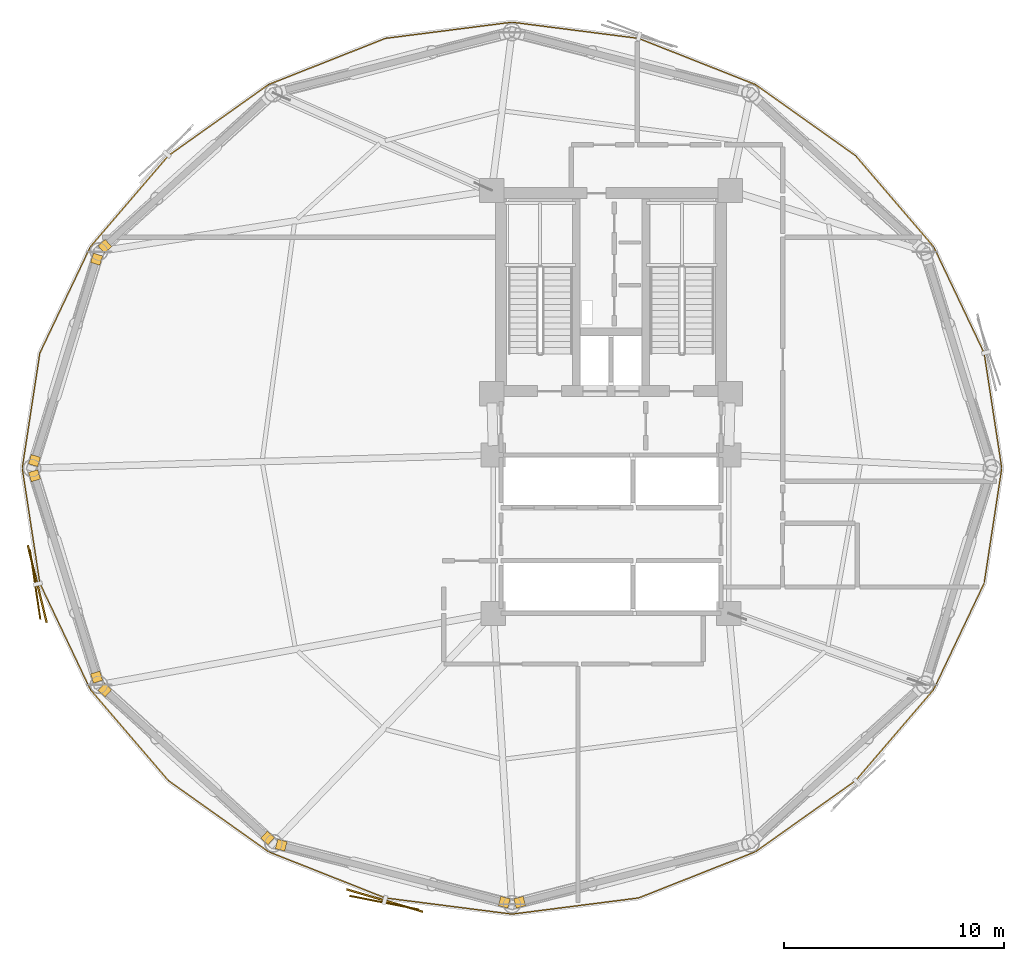
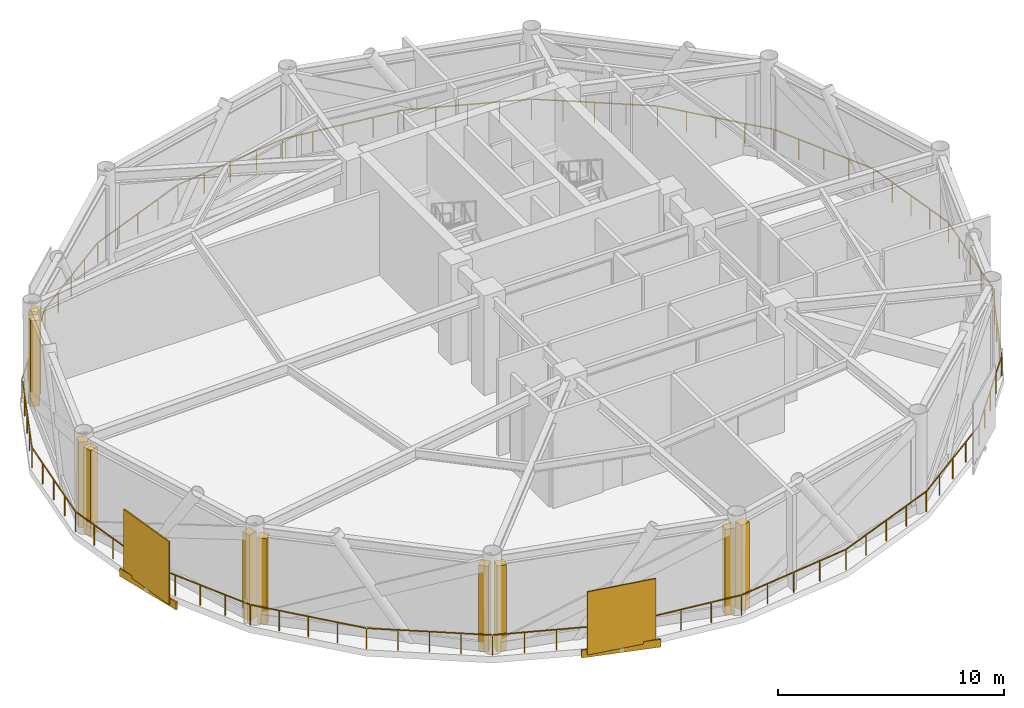
# One storey, part 6 of 8: 12 coverings, 2 shading devices, 1 railing.
"""IFC4 building model written with IfcOpenShell, lengths in metres."""

from ifc_helpers import new_model, si_unit, direction, frame, origin, origin_2d, place, context, subcontext, project, spatial, rectangle, extrude, source, transform, mapped, material, layer, layer_set, type_object, type_shapes, element, save


model = new_model("IFC4")

# Units and contexts
model_context = context("Model", 3, precision=1e-05, world=origin(), true_north=direction((0.0, 1.0)))
body_context = subcontext(model_context, "Body", "Model", "MODEL_VIEW")
ifc_project = project(units=[si_unit("LENGTHUNIT", "METRE"), si_unit("AREAUNIT", "SQUARE_METRE"), si_unit("VOLUMEUNIT", "CUBIC_METRE"), si_unit("PLANEANGLEUNIT", "RADIAN"), si_unit("MASSUNIT", "GRAM", prefix="KILO")], contexts=[model_context])

# Site, building, storey
site_placement = place(None, origin())
site = spatial("IfcSite", under=ifc_project, at=site_placement, CompositionType="ELEMENT")
building_placement = place(site_placement, origin())
building = spatial("IfcBuilding", under=site, at=building_placement, Name="Varnakorn Sky Granary", CompositionType="ELEMENT")
storey_placement = place(building_placement, frame((0.0, 0.0, 78.300048828125)))
storey = spatial("IfcBuildingStorey", under=building, at=storey_placement, Name="L19", CompositionType="ELEMENT", Elevation=78.300048828125)

# Railing
ifc_material = material(Name="Anodised Bronze Aluminium Alloy 6063-T6", Category="aluminium")
railing_type = type_object("IfcRailingType", Name="RL-BAL-1120", PredefinedType="BALUSTRADE", material=ifc_material)
railing_placement = place(storey_placement, frame((20.759765625, 0.0, 0.0)))
element("IfcRailing", 1, at=railing_placement, inside=storey, type_object=railing_type, Name="Perimeter Slab-Edge Safety Guard L19", PredefinedType="BALUSTRADE", context=body_context, shape_type="SweptSolid", body=[
    extrude(rectangle(XDim=0.048095703125, YDim=0.048095703125, at=origin_2d()), frame((-0.004150390625, -0.027587890625, 1.09619140625), z_axis=(-0.151329086455, -0.988483438199, 0.0), x_axis=(0.988483438199, -0.151329086455, 0.0)), (0.0, 0.0, 1.0), 5.235595703125),
    extrude(rectangle(XDim=0.048095703125, YDim=0.048095703125, at=origin_2d()), frame((-0.812744140625, -5.256103515625, 1.09619140625), z_axis=(-0.429102435084, -0.903255833197, 0.0), x_axis=(0.903255833197, -0.429102435084, 0.0)), (0.0, 0.0, 1.0), 5.292724609375),
    extrude(rectangle(XDim=0.048095703125, YDim=0.048095703125, at=origin_2d()), frame((-3.1142578125, -10.083251953125, 1.09619140625), z_axis=(-0.650717607812, -0.759319823844, 0.0), x_axis=(0.759319823844, -0.650717607812, 0.0)), (0.0, 0.0, 1.0), 5.3955078125),
    extrude(rectangle(XDim=0.048095703125, YDim=0.048095703125, at=origin_2d()), frame((-6.666015625, -14.217529296875, 1.09619140625), z_axis=(-0.815228762246, -0.579139072423, 0.0), x_axis=(0.579139072423, -0.815228762246, 0.0)), (0.0, 0.0, 1.0), 5.527099609375),
    extrude(rectangle(XDim=0.048095703125, YDim=0.048095703125, at=origin_2d()), frame((-11.220947265625, -17.445068359375, 1.09619140625), z_axis=(-0.930071096813, -0.367379578738, 0.0), x_axis=(0.367379578738, -0.930071096813, 0.0)), (0.0, 0.0, 1.0), 5.65771484375),
    extrude(rectangle(XDim=0.048095703125, YDim=0.048095703125, at=origin_2d()), frame((-16.536865234375, -19.53759765625, 1.09619140625), z_axis=(-0.99194460155, -0.126672441582, 0.0), x_axis=(0.126672441582, -0.99194460155, 0.0)), (0.0, 0.0, 1.0), 5.741455078125),
    extrude(rectangle(XDim=0.048095703125, YDim=0.048095703125, at=origin_2d()), frame((-22.28759765625, -20.2646484375, 1.09619140625), z_axis=(-0.99194460155, 0.126672441582, 0.0), x_axis=(-0.126672441582, -0.99194460155, 0.0)), (0.0, 0.0, 1.0), 5.741455078125),
    extrude(rectangle(XDim=0.048095703125, YDim=0.048095703125, at=origin_2d()), frame((-28.03662109375, -19.523681640625, 1.09619140625), z_axis=(-0.930071096813, 0.367379578738, 0.0), x_axis=(-0.367379578738, -0.930071096813, 0.0)), (0.0, 0.0, 1.0), 5.65771484375),
    extrude(rectangle(XDim=0.048095703125, YDim=0.048095703125, at=origin_2d()), frame((-33.347412109375, -17.418701171875, 1.09619140625), z_axis=(-0.815228762246, 0.579139072423, 0.0), x_axis=(-0.579139072423, -0.815228762246, 0.0)), (0.0, 0.0, 1.0), 5.527099609375),
    extrude(rectangle(XDim=0.048095703125, YDim=0.048095703125, at=origin_2d()), frame((-37.89453125, -14.18017578125, 1.09619140625), z_axis=(-0.650717607812, 0.759319823844, 0.0), x_axis=(-0.759319823844, -0.650717607812, 0.0)), (0.0, 0.0, 1.0), 5.3955078125),
    extrude(rectangle(XDim=0.048095703125, YDim=0.048095703125, at=origin_2d()), frame((-41.435546875, -10.03662109375, 1.09619140625), z_axis=(-0.429102435084, 0.903255833197, 0.0), x_axis=(-0.903255833197, -0.429102435084, 0.0)), (0.0, 0.0, 1.0), 5.292724609375),
    extrude(rectangle(XDim=0.048095703125, YDim=0.048095703125, at=origin_2d()), frame((-43.722900390625, -5.203125, 1.09619140625), z_axis=(-0.151329086455, 0.988483438199, 0.0), x_axis=(-0.988483438199, -0.151329086455, 0.0)), (0.0, 0.0, 1.0), 5.235595703125),
    extrude(rectangle(XDim=0.048095703125, YDim=0.048095703125, at=origin_2d()), frame((-44.515380859375, 0.027587890625, 1.09619140625), z_axis=(0.151329086455, 0.988483438199, 0.0), x_axis=(-0.988483438199, 0.151329086455, 0.0)), (0.0, 0.0, 1.0), 5.235595703125),
    extrude(rectangle(XDim=0.048095703125, YDim=0.048095703125, at=origin_2d()), frame((-43.706787109375, 5.256103515625, 1.09619140625), z_axis=(0.429102435084, 0.903255833197, 0.0), x_axis=(-0.903255833197, 0.429102435084, 0.0)), (0.0, 0.0, 1.0), 5.292724609375),
    extrude(rectangle(XDim=0.048095703125, YDim=0.048095703125, at=origin_2d()), frame((-41.4052734375, 10.083251953125, 1.09619140625), z_axis=(0.650717607812, 0.759319823844, 0.0), x_axis=(-0.759319823844, 0.650717607812, 0.0)), (0.0, 0.0, 1.0), 5.3955078125),
    extrude(rectangle(XDim=0.048095703125, YDim=0.048095703125, at=origin_2d()), frame((-37.853515625, 14.217529296875, 1.09619140625), z_axis=(0.815228762246, 0.579139072423, 0.0), x_axis=(-0.579139072423, 0.815228762246, 0.0)), (0.0, 0.0, 1.0), 5.527099609375),
    extrude(rectangle(XDim=0.048095703125, YDim=0.048095703125, at=origin_2d()), frame((-33.298583984375, 17.445068359375, 1.09619140625), z_axis=(0.930071096813, 0.367379578738, 0.0), x_axis=(-0.367379578738, 0.930071096813, 0.0)), (0.0, 0.0, 1.0), 5.65771484375),
    extrude(rectangle(XDim=0.048095703125, YDim=0.048095703125, at=origin_2d()), frame((-27.982666015625, 19.53759765625, 1.09619140625), z_axis=(0.99194460155, 0.126672441582, 0.0), x_axis=(-0.126672441582, 0.99194460155, 0.0)), (0.0, 0.0, 1.0), 5.741455078125),
    extrude(rectangle(XDim=0.048095703125, YDim=0.048095703125, at=origin_2d()), frame((-22.23193359375, 20.2646484375, 1.09619140625), z_axis=(0.99194460155, -0.126672441582, 0.0), x_axis=(0.126672441582, 0.99194460155, 0.0)), (0.0, 0.0, 1.0), 5.741455078125),
    extrude(rectangle(XDim=0.048095703125, YDim=0.048095703125, at=origin_2d()), frame((-16.48291015625, 19.523681640625, 1.09619140625), z_axis=(0.930071096813, -0.367379578738, 0.0), x_axis=(0.367379578738, 0.930071096813, 0.0)), (0.0, 0.0, 1.0), 5.65771484375),
    extrude(rectangle(XDim=0.048095703125, YDim=0.048095703125, at=origin_2d()), frame((-11.172119140625, 17.418701171875, 1.09619140625), z_axis=(0.815228762246, -0.579139072423, 0.0), x_axis=(0.579139072423, 0.815228762246, 0.0)), (0.0, 0.0, 1.0), 5.527099609375),
    extrude(rectangle(XDim=0.048095703125, YDim=0.048095703125, at=origin_2d()), frame((-6.625, 14.18017578125, 1.09619140625), z_axis=(0.650717607812, -0.759319823844, 0.0), x_axis=(0.759319823844, 0.650717607812, 0.0)), (0.0, 0.0, 1.0), 5.3955078125),
    extrude(rectangle(XDim=0.048095703125, YDim=0.048095703125, at=origin_2d()), frame((-3.083984375, 10.03662109375, 1.09619140625), z_axis=(0.429102435084, -0.903255833197, 0.0), x_axis=(0.903255833197, 0.429102435084, 0.0)), (0.0, 0.0, 1.0), 5.292724609375),
    extrude(rectangle(XDim=0.048095703125, YDim=0.048095703125, at=origin_2d()), frame((-0.796630859375, 5.203125, 1.09619140625), z_axis=(0.151329086455, -0.988483438199, 0.0), x_axis=(0.988483438199, 0.151329086455, 0.0)), (0.0, 0.0, 1.0), 5.235595703125),
    extrude(rectangle(XDim=0.0419921875, YDim=0.0419921875, at=origin_2d()), origin(), (0.0, 0.0, 1.0), 1.068115234375),
    extrude(rectangle(XDim=0.0419921875, YDim=0.0419921875, at=origin_2d()), frame((-0.2001953125, -1.3076171875, 0.0)), (0.0, 0.0, 1.0), 1.068115234375),
    extrude(rectangle(XDim=0.0419921875, YDim=0.0419921875, at=origin_2d()), frame((-0.400390625, -2.615234375, 0.0)), (0.0, 0.0, 1.0), 1.068115234375),
    extrude(rectangle(XDim=0.0419921875, YDim=0.0419921875, at=origin_2d()), frame((-0.6005859375, -3.923095703125, 0.0)), (0.0, 0.0, 1.0), 1.068115234375),
    extrude(rectangle(XDim=0.0419921875, YDim=0.0419921875, at=origin_2d()), frame((-0.80078125, -5.230712890625, 0.0)), (0.0, 0.0, 1.0), 1.068115234375),
    extrude(rectangle(XDim=0.0419921875, YDim=0.0419921875, at=origin_2d()), frame((-1.37451171875, -6.4384765625, 0.0)), (0.0, 0.0, 1.0), 1.068115234375),
    extrude(rectangle(XDim=0.0419921875, YDim=0.0419921875, at=origin_2d()), frame((-1.9482421875, -7.646484375, 0.0)), (0.0, 0.0, 1.0), 1.068115234375),
    extrude(rectangle(XDim=0.0419921875, YDim=0.0419921875, at=origin_2d()), frame((-2.522216796875, -8.854248046875, 0.0)), (0.0, 0.0, 1.0), 1.068115234375),
    extrude(rectangle(XDim=0.0419921875, YDim=0.0419921875, at=origin_2d()), frame((-3.095947265625, -10.06201171875, 0.0)), (0.0, 0.0, 1.0), 1.068115234375),
    extrude(rectangle(XDim=0.0419921875, YDim=0.0419921875, at=origin_2d()), frame((-3.98291015625, -11.096923828125, 0.0)), (0.0, 0.0, 1.0), 1.068115234375),
    extrude(rectangle(XDim=0.0419921875, YDim=0.0419921875, at=origin_2d()), frame((-4.86962890625, -12.1318359375, 0.0)), (0.0, 0.0, 1.0), 1.068115234375),
    extrude(rectangle(XDim=0.0419921875, YDim=0.0419921875, at=origin_2d()), frame((-5.75634765625, -13.16650390625, 0.0)), (0.0, 0.0, 1.0), 1.068115234375),
    extrude(rectangle(XDim=0.0419921875, YDim=0.0419921875, at=origin_2d()), frame((-6.643310546875, -14.201416015625, 0.0)), (0.0, 0.0, 1.0), 1.068115234375),
    extrude(rectangle(XDim=0.0419921875, YDim=0.0419921875, at=origin_2d()), frame((-7.78125, -15.009765625, 0.0)), (0.0, 0.0, 1.0), 1.068115234375),
    extrude(rectangle(XDim=0.0419921875, YDim=0.0419921875, at=origin_2d()), frame((-8.9189453125, -15.818115234375, 0.0)), (0.0, 0.0, 1.0), 1.068115234375),
    extrude(rectangle(XDim=0.0419921875, YDim=0.0419921875, at=origin_2d()), frame((-10.056884765625, -16.62646484375, 0.0)), (0.0, 0.0, 1.0), 1.068115234375),
    extrude(rectangle(XDim=0.0419921875, YDim=0.0419921875, at=origin_2d()), frame((-11.19482421875, -17.434814453125, 0.0)), (0.0, 0.0, 1.0), 1.068115234375),
    extrude(rectangle(XDim=0.0419921875, YDim=0.0419921875, at=origin_2d()), frame((-12.5234375, -17.95947265625, 0.0)), (0.0, 0.0, 1.0), 1.068115234375),
    extrude(rectangle(XDim=0.0419921875, YDim=0.0419921875, at=origin_2d()), frame((-13.85205078125, -18.484375, 0.0)), (0.0, 0.0, 1.0), 1.068115234375),
    extrude(rectangle(XDim=0.0419921875, YDim=0.0419921875, at=origin_2d()), frame((-15.180419921875, -19.00927734375, 0.0)), (0.0, 0.0, 1.0), 1.068115234375),
    extrude(rectangle(XDim=0.0419921875, YDim=0.0419921875, at=origin_2d()), frame((-16.509033203125, -19.533935546875, 0.0)), (0.0, 0.0, 1.0), 1.068115234375),
    extrude(rectangle(XDim=0.0419921875, YDim=0.0419921875, at=origin_2d()), frame((-17.94677734375, -19.717529296875, 0.0)), (0.0, 0.0, 1.0), 1.068115234375),
    extrude(rectangle(XDim=0.0419921875, YDim=0.0419921875, at=origin_2d()), frame((-19.38427734375, -19.901123046875, 0.0)), (0.0, 0.0, 1.0), 1.068115234375),
    extrude(rectangle(XDim=0.0419921875, YDim=0.0419921875, at=origin_2d()), frame((-20.822021484375, -20.084716796875, 0.0)), (0.0, 0.0, 1.0), 1.068115234375),
    extrude(rectangle(XDim=0.0419921875, YDim=0.0419921875, at=origin_2d()), frame((-22.259765625, -20.268310546875, 0.0)), (0.0, 0.0, 1.0), 1.068115234375),
    extrude(rectangle(XDim=0.0419921875, YDim=0.0419921875, at=origin_2d()), frame((-23.697509765625, -20.084716796875, 0.0)), (0.0, 0.0, 1.0), 1.068115234375),
    extrude(rectangle(XDim=0.0419921875, YDim=0.0419921875, at=origin_2d()), frame((-25.13525390625, -19.901123046875, 0.0)), (0.0, 0.0, 1.0), 1.068115234375),
    extrude(rectangle(XDim=0.0419921875, YDim=0.0419921875, at=origin_2d()), frame((-26.57275390625, -19.717529296875, 0.0)), (0.0, 0.0, 1.0), 1.068115234375),
    extrude(rectangle(XDim=0.0419921875, YDim=0.0419921875, at=origin_2d()), frame((-28.010498046875, -19.533935546875, 0.0)), (0.0, 0.0, 1.0), 1.068115234375),
    extrude(rectangle(XDim=0.0419921875, YDim=0.0419921875, at=origin_2d()), frame((-29.339111328125, -19.00927734375, 0.0)), (0.0, 0.0, 1.0), 1.068115234375),
    extrude(rectangle(XDim=0.0419921875, YDim=0.0419921875, at=origin_2d()), frame((-30.66748046875, -18.484375, 0.0)), (0.0, 0.0, 1.0), 1.068115234375),
    extrude(rectangle(XDim=0.0419921875, YDim=0.0419921875, at=origin_2d()), frame((-31.99609375, -17.95947265625, 0.0)), (0.0, 0.0, 1.0), 1.068115234375),
    extrude(rectangle(XDim=0.0419921875, YDim=0.0419921875, at=origin_2d()), frame((-33.32470703125, -17.434814453125, 0.0)), (0.0, 0.0, 1.0), 1.068115234375),
    extrude(rectangle(XDim=0.0419921875, YDim=0.0419921875, at=origin_2d()), frame((-34.462646484375, -16.62646484375, 0.0)), (0.0, 0.0, 1.0), 1.068115234375),
    extrude(rectangle(XDim=0.0419921875, YDim=0.0419921875, at=origin_2d()), frame((-35.6005859375, -15.818115234375, 0.0)), (0.0, 0.0, 1.0), 1.068115234375),
    extrude(rectangle(XDim=0.0419921875, YDim=0.0419921875, at=origin_2d()), frame((-36.73828125, -15.009765625, 0.0)), (0.0, 0.0, 1.0), 1.068115234375),
    extrude(rectangle(XDim=0.0419921875, YDim=0.0419921875, at=origin_2d()), frame((-37.876220703125, -14.201416015625, 0.0)), (0.0, 0.0, 1.0), 1.068115234375),
    extrude(rectangle(XDim=0.0419921875, YDim=0.0419921875, at=origin_2d()), frame((-38.76318359375, -13.16650390625, 0.0)), (0.0, 0.0, 1.0), 1.068115234375),
    extrude(rectangle(XDim=0.0419921875, YDim=0.0419921875, at=origin_2d()), frame((-39.64990234375, -12.1318359375, 0.0)), (0.0, 0.0, 1.0), 1.068115234375),
    extrude(rectangle(XDim=0.0419921875, YDim=0.0419921875, at=origin_2d()), frame((-40.53662109375, -11.096923828125, 0.0)), (0.0, 0.0, 1.0), 1.068115234375),
    extrude(rectangle(XDim=0.0419921875, YDim=0.0419921875, at=origin_2d()), frame((-41.423583984375, -10.06201171875, 0.0)), (0.0, 0.0, 1.0), 1.068115234375),
    extrude(rectangle(XDim=0.0419921875, YDim=0.0419921875, at=origin_2d()), frame((-41.997314453125, -8.854248046875, 0.0)), (0.0, 0.0, 1.0), 1.068115234375),
    extrude(rectangle(XDim=0.0419921875, YDim=0.0419921875, at=origin_2d()), frame((-42.5712890625, -7.646484375, 0.0)), (0.0, 0.0, 1.0), 1.068115234375),
    extrude(rectangle(XDim=0.0419921875, YDim=0.0419921875, at=origin_2d()), frame((-43.14501953125, -6.4384765625, 0.0)), (0.0, 0.0, 1.0), 1.068115234375),
    extrude(rectangle(XDim=0.0419921875, YDim=0.0419921875, at=origin_2d()), frame((-43.71875, -5.230712890625, 0.0)), (0.0, 0.0, 1.0), 1.068115234375),
    extrude(rectangle(XDim=0.0419921875, YDim=0.0419921875, at=origin_2d()), frame((-43.9189453125, -3.923095703125, 0.0)), (0.0, 0.0, 1.0), 1.068115234375),
    extrude(rectangle(XDim=0.0419921875, YDim=0.0419921875, at=origin_2d()), frame((-44.119140625, -2.615234375, 0.0)), (0.0, 0.0, 1.0), 1.068115234375),
    extrude(rectangle(XDim=0.0419921875, YDim=0.0419921875, at=origin_2d()), frame((-44.3193359375, -1.3076171875, 0.0)), (0.0, 0.0, 1.0), 1.068115234375),
    extrude(rectangle(XDim=0.0419921875, YDim=0.0419921875, at=origin_2d()), frame((-44.51953125, 0.0, 0.0)), (0.0, 0.0, 1.0), 1.068115234375),
    extrude(rectangle(XDim=0.0419921875, YDim=0.0419921875, at=origin_2d()), frame((-44.3193359375, 1.3076171875, 0.0)), (0.0, 0.0, 1.0), 1.068115234375),
    extrude(rectangle(XDim=0.0419921875, YDim=0.0419921875, at=origin_2d()), frame((-44.119140625, 2.615234375, 0.0)), (0.0, 0.0, 1.0), 1.068115234375),
    extrude(rectangle(XDim=0.0419921875, YDim=0.0419921875, at=origin_2d()), frame((-43.9189453125, 3.923095703125, 0.0)), (0.0, 0.0, 1.0), 1.068115234375),
    extrude(rectangle(XDim=0.0419921875, YDim=0.0419921875, at=origin_2d()), frame((-43.71875, 5.230712890625, 0.0)), (0.0, 0.0, 1.0), 1.068115234375),
    extrude(rectangle(XDim=0.0419921875, YDim=0.0419921875, at=origin_2d()), frame((-43.14501953125, 6.4384765625, 0.0)), (0.0, 0.0, 1.0), 1.068115234375),
    extrude(rectangle(XDim=0.0419921875, YDim=0.0419921875, at=origin_2d()), frame((-42.5712890625, 7.646484375, 0.0)), (0.0, 0.0, 1.0), 1.068115234375),
    extrude(rectangle(XDim=0.0419921875, YDim=0.0419921875, at=origin_2d()), frame((-41.997314453125, 8.854248046875, 0.0)), (0.0, 0.0, 1.0), 1.068115234375),
    extrude(rectangle(XDim=0.0419921875, YDim=0.0419921875, at=origin_2d()), frame((-41.423583984375, 10.06201171875, 0.0)), (0.0, 0.0, 1.0), 1.068115234375),
    extrude(rectangle(XDim=0.0419921875, YDim=0.0419921875, at=origin_2d()), frame((-40.53662109375, 11.096923828125, 0.0)), (0.0, 0.0, 1.0), 1.068115234375),
    extrude(rectangle(XDim=0.0419921875, YDim=0.0419921875, at=origin_2d()), frame((-39.64990234375, 12.1318359375, 0.0)), (0.0, 0.0, 1.0), 1.068115234375),
    extrude(rectangle(XDim=0.0419921875, YDim=0.0419921875, at=origin_2d()), frame((-38.76318359375, 13.16650390625, 0.0)), (0.0, 0.0, 1.0), 1.068115234375),
    extrude(rectangle(XDim=0.0419921875, YDim=0.0419921875, at=origin_2d()), frame((-37.876220703125, 14.201416015625, 0.0)), (0.0, 0.0, 1.0), 1.068115234375),
    extrude(rectangle(XDim=0.0419921875, YDim=0.0419921875, at=origin_2d()), frame((-36.73828125, 15.009765625, 0.0)), (0.0, 0.0, 1.0), 1.068115234375),
    extrude(rectangle(XDim=0.0419921875, YDim=0.0419921875, at=origin_2d()), frame((-35.6005859375, 15.818115234375, 0.0)), (0.0, 0.0, 1.0), 1.068115234375),
    extrude(rectangle(XDim=0.0419921875, YDim=0.0419921875, at=origin_2d()), frame((-34.462646484375, 16.62646484375, 0.0)), (0.0, 0.0, 1.0), 1.068115234375),
    extrude(rectangle(XDim=0.0419921875, YDim=0.0419921875, at=origin_2d()), frame((-33.32470703125, 17.434814453125, 0.0)), (0.0, 0.0, 1.0), 1.068115234375),
    extrude(rectangle(XDim=0.0419921875, YDim=0.0419921875, at=origin_2d()), frame((-31.99609375, 17.95947265625, 0.0)), (0.0, 0.0, 1.0), 1.068115234375),
    extrude(rectangle(XDim=0.0419921875, YDim=0.0419921875, at=origin_2d()), frame((-30.66748046875, 18.484375, 0.0)), (0.0, 0.0, 1.0), 1.068115234375),
    extrude(rectangle(XDim=0.0419921875, YDim=0.0419921875, at=origin_2d()), frame((-29.339111328125, 19.00927734375, 0.0)), (0.0, 0.0, 1.0), 1.068115234375),
    extrude(rectangle(XDim=0.0419921875, YDim=0.0419921875, at=origin_2d()), frame((-28.010498046875, 19.533935546875, 0.0)), (0.0, 0.0, 1.0), 1.068115234375),
    extrude(rectangle(XDim=0.0419921875, YDim=0.0419921875, at=origin_2d()), frame((-26.57275390625, 19.717529296875, 0.0)), (0.0, 0.0, 1.0), 1.068115234375),
    extrude(rectangle(XDim=0.0419921875, YDim=0.0419921875, at=origin_2d()), frame((-25.13525390625, 19.901123046875, 0.0)), (0.0, 0.0, 1.0), 1.068115234375),
    extrude(rectangle(XDim=0.0419921875, YDim=0.0419921875, at=origin_2d()), frame((-23.697509765625, 20.084716796875, 0.0)), (0.0, 0.0, 1.0), 1.068115234375),
    extrude(rectangle(XDim=0.0419921875, YDim=0.0419921875, at=origin_2d()), frame((-22.259765625, 20.268310546875, 0.0)), (0.0, 0.0, 1.0), 1.068115234375),
    extrude(rectangle(XDim=0.0419921875, YDim=0.0419921875, at=origin_2d()), frame((-20.822021484375, 20.084716796875, 0.0)), (0.0, 0.0, 1.0), 1.068115234375),
    extrude(rectangle(XDim=0.0419921875, YDim=0.0419921875, at=origin_2d()), frame((-19.38427734375, 19.901123046875, 0.0)), (0.0, 0.0, 1.0), 1.068115234375),
    extrude(rectangle(XDim=0.0419921875, YDim=0.0419921875, at=origin_2d()), frame((-17.94677734375, 19.717529296875, 0.0)), (0.0, 0.0, 1.0), 1.068115234375),
    extrude(rectangle(XDim=0.0419921875, YDim=0.0419921875, at=origin_2d()), frame((-16.509033203125, 19.533935546875, 0.0)), (0.0, 0.0, 1.0), 1.068115234375),
    extrude(rectangle(XDim=0.0419921875, YDim=0.0419921875, at=origin_2d()), frame((-15.180419921875, 19.00927734375, 0.0)), (0.0, 0.0, 1.0), 1.068115234375),
    extrude(rectangle(XDim=0.0419921875, YDim=0.0419921875, at=origin_2d()), frame((-13.85205078125, 18.484375, 0.0)), (0.0, 0.0, 1.0), 1.068115234375),
    extrude(rectangle(XDim=0.0419921875, YDim=0.0419921875, at=origin_2d()), frame((-12.5234375, 17.95947265625, 0.0)), (0.0, 0.0, 1.0), 1.068115234375),
    extrude(rectangle(XDim=0.0419921875, YDim=0.0419921875, at=origin_2d()), frame((-11.19482421875, 17.434814453125, 0.0)), (0.0, 0.0, 1.0), 1.068115234375),
    extrude(rectangle(XDim=0.0419921875, YDim=0.0419921875, at=origin_2d()), frame((-10.056884765625, 16.62646484375, 0.0)), (0.0, 0.0, 1.0), 1.068115234375),
    extrude(rectangle(XDim=0.0419921875, YDim=0.0419921875, at=origin_2d()), frame((-8.9189453125, 15.818115234375, 0.0)), (0.0, 0.0, 1.0), 1.068115234375),
    extrude(rectangle(XDim=0.0419921875, YDim=0.0419921875, at=origin_2d()), frame((-7.78125, 15.009765625, 0.0)), (0.0, 0.0, 1.0), 1.068115234375),
    extrude(rectangle(XDim=0.0419921875, YDim=0.0419921875, at=origin_2d()), frame((-6.643310546875, 14.201416015625, 0.0)), (0.0, 0.0, 1.0), 1.068115234375),
    extrude(rectangle(XDim=0.0419921875, YDim=0.0419921875, at=origin_2d()), frame((-5.75634765625, 13.16650390625, 0.0)), (0.0, 0.0, 1.0), 1.068115234375),
    extrude(rectangle(XDim=0.0419921875, YDim=0.0419921875, at=origin_2d()), frame((-4.86962890625, 12.1318359375, 0.0)), (0.0, 0.0, 1.0), 1.068115234375),
    extrude(rectangle(XDim=0.0419921875, YDim=0.0419921875, at=origin_2d()), frame((-3.98291015625, 11.096923828125, 0.0)), (0.0, 0.0, 1.0), 1.068115234375),
    extrude(rectangle(XDim=0.0419921875, YDim=0.0419921875, at=origin_2d()), frame((-3.095947265625, 10.06201171875, 0.0)), (0.0, 0.0, 1.0), 1.068115234375),
    extrude(rectangle(XDim=0.0419921875, YDim=0.0419921875, at=origin_2d()), frame((-2.522216796875, 8.854248046875, 0.0)), (0.0, 0.0, 1.0), 1.068115234375),
    extrude(rectangle(XDim=0.0419921875, YDim=0.0419921875, at=origin_2d()), frame((-1.9482421875, 7.646484375, 0.0)), (0.0, 0.0, 1.0), 1.068115234375),
    extrude(rectangle(XDim=0.0419921875, YDim=0.0419921875, at=origin_2d()), frame((-1.37451171875, 6.4384765625, 0.0)), (0.0, 0.0, 1.0), 1.068115234375),
    extrude(rectangle(XDim=0.0419921875, YDim=0.0419921875, at=origin_2d()), frame((-0.80078125, 5.230712890625, 0.0)), (0.0, 0.0, 1.0), 1.068115234375),
    extrude(rectangle(XDim=0.0419921875, YDim=0.0419921875, at=origin_2d()), frame((-0.6005859375, 3.923095703125, 0.0)), (0.0, 0.0, 1.0), 1.068115234375),
    extrude(rectangle(XDim=0.0419921875, YDim=0.0419921875, at=origin_2d()), frame((-0.400390625, 2.615234375, 0.0)), (0.0, 0.0, 1.0), 1.068115234375),
    extrude(rectangle(XDim=0.0419921875, YDim=0.0419921875, at=origin_2d()), frame((-0.2001953125, 1.3076171875, 0.0)), (0.0, 0.0, 1.0), 1.068115234375),
])

# Shading devices
shading_device_type = type_object("IfcShadingDeviceType", Name="SH-SCR-01", PredefinedType="USERDEFINED", material=ifc_material)
shared_shape_1 = source(origin(), body_context, "Body", "SweptSolid", [
    extrude(rectangle(XDim=3.199951171875, YDim=0.06494140625, at=origin_2d()), origin(), (0.0, 0.0, 1.0), 3.39990234375),
])
type_shapes(shading_device_type, [shared_shape_1])
for number, where, z_axis, x_axis, name in (
    (2, (-23.1728515625, -5.2861328125, -0.0400390625), (0.0, 0.0, 1.0), (0.147066660699, -0.989126583057, 0.0), "Perforated Bronze Solar Screen Panel SCREEN L19-07"),
    (3, (-7.3125, -19.745849609375, -0.0400390625), (0.0, 0.0, 1.0), (0.981115650652, -0.193422025753, 0.0), "Perforated Bronze Solar Screen Panel SCREEN L19-09"),
):
    element("IfcShadingDevice", number, at=place(storey_placement, frame(where, z_axis=z_axis, x_axis=x_axis)), inside=storey, type_object=shading_device_type, Name=name, ObjectType="SCREEN", PredefinedType="USERDEFINED", context=body_context, shape_type="MappedRepresentation", body=[
        mapped(shared_shape_1, transform((0.0, 0.0, 0.0), x_axis=(1.0, 0.0, 0.0), y_axis=(0.0, 1.0, 0.0), z_axis=(0.0, 0.0, 1.0), scale=1.0)),
    ])

# Coverings
ifc_layer = layer(ifc_material, 0.050048828125, Name="Anodised Bronze Aluminium Alloy 6063-T6")
ifc_layer_set = layer_set([ifc_layer], Name="Anodised Bronze Aluminium Alloy 6063-T6")
covering_type = type_object("IfcCoveringType", Name="CV-CLAD-50", PredefinedType="CLADDING", material=ifc_layer_set)
shared_shape_2 = source(origin(), body_context, "Body", "SweptSolid", [
    extrude(rectangle(XDim=0.43994140625, YDim=0.43994140625, at=origin_2d()), origin(), (0.0, 0.0, 1.0), 4.6298828125),
])
for number, where, z_axis, x_axis, name in (
    (4, (-20.00439453125, 10.0849609375, -0.02001953125), (0.0, 0.0, 1.0), (0.740335466358, 0.67223760476, 0.0), "Bronze Corner Pilaster Closure L19-P05-A"),
    (5, (-23.204345703125, 0.345458984375, -0.02001953125), (0.0, 0.0, 1.0), (0.295041067928, 0.955484572474, 0.0), "Bronze Corner Pilaster Closure L19-P06-A"),
    (6, (-20.378662109375, 9.49658203125, -0.02001953125), (0.0, 0.0, 1.0), (0.295041067928, 0.955484572474, 0.0), "Bronze Corner Pilaster Closure L19-P06-B"),
    (7, (-20.378662109375, -9.49658203125, -0.02001953125), (0.0, 0.0, 1.0), (-0.295041067928, 0.955484572474, 0.0), "Bronze Corner Pilaster Closure L19-P07-A"),
    (8, (-23.204345703125, -0.345458984375, -0.02001953125), (0.0, 0.0, 1.0), (-0.295041067928, 0.955484572474, 0.0), "Bronze Corner Pilaster Closure L19-P07-B"),
    (9, (-12.605712890625, -16.8037109375, -0.02001953125), (0.0, 0.0, 1.0), (-0.740335466358, 0.67223760476, 0.0), "Bronze Corner Pilaster Closure L19-P08-A"),
    (10, (-20.00439453125, -10.0849609375, -0.02001953125), (0.0, 0.0, 1.0), (-0.740335466358, 0.67223760476, 0.0), "Bronze Corner Pilaster Closure L19-P08-B"),
    (11, (-1.85009765625, -19.7294921875, -0.02001953125), (0.0, 0.0, 1.0), (-0.968799815159, 0.247844544316, 0.0), "Bronze Corner Pilaster Closure L19-P09-A"),
    (12, (-11.98779296875, -17.136474609375, -0.02001953125), (0.0, 0.0, 1.0), (-0.968799815159, 0.247844544316, 0.0), "Bronze Corner Pilaster Closure L19-P09-B"),
    (13, (-1.14990234375, -19.7294921875, -0.02001953125), (0.0, 0.0, 1.0), (-0.968799815159, -0.247844544316, 0.0), "Bronze Corner Pilaster Closure L19-P10-B"),
):
    element("IfcCovering", number, at=place(storey_placement, frame(where, z_axis=z_axis, x_axis=x_axis)), inside=storey, type_object=covering_type, Name=name, PredefinedType="CLADDING", context=body_context, shape_type="MappedRepresentation", body=[
        mapped(shared_shape_2, transform((0.0, 0.0, 0.0), x_axis=(1.0, 0.0, 0.0), y_axis=(0.0, 1.0, 0.0), z_axis=(0.0, 0.0, 1.0), scale=1.0)),
    ])
shared_shape_3 = source(origin(), body_context, "Body", "SweptSolid", [
    extrude(rectangle(XDim=3.60009765625, YDim=0.080078125, at=origin_2d()), origin(), (0.0, 0.0, 1.0), 0.419921875),
])
type_shapes(covering_type, [shared_shape_2, shared_shape_3])
for number, where, z_axis, x_axis, name in (
    (14, (-23.07568359375, -5.262451171875, -0.330078125), (0.0, 0.0, 1.0), (0.236956388819, -0.971520287898, 0.0), "Bronze Slab-Edge Spandrel Cladding L19-07"),
    (15, (-7.2841796875, -19.64990234375, -0.330078125), (0.0, 0.0, 1.0), (0.959301370998, -0.282384276476, 0.0), "Bronze Slab-Edge Spandrel Cladding L19-09"),
):
    element("IfcCovering", number, at=place(storey_placement, frame(where, z_axis=z_axis, x_axis=x_axis)), inside=storey, type_object=covering_type, Name=name, PredefinedType="CLADDING", context=body_context, shape_type="MappedRepresentation", body=[
        mapped(shared_shape_3, transform((0.0, 0.0, 0.0), x_axis=(1.0, 0.0, 0.0), y_axis=(0.0, 1.0, 0.0), z_axis=(0.0, 0.0, 1.0), scale=1.0)),
    ])

save(model, "model.ifc")
